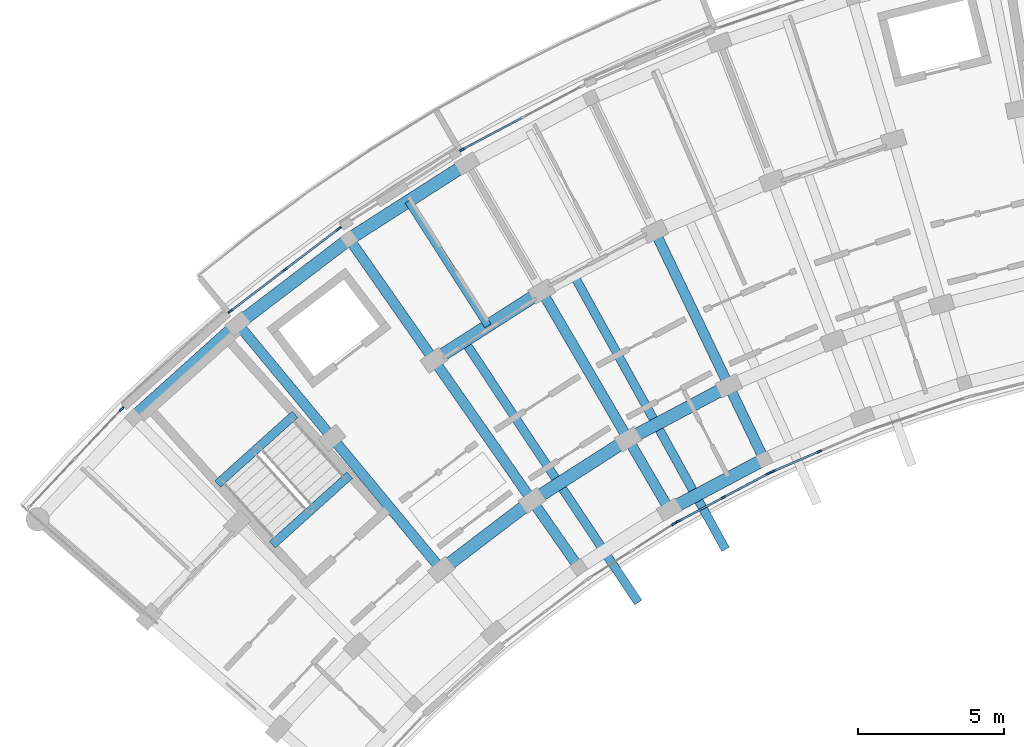
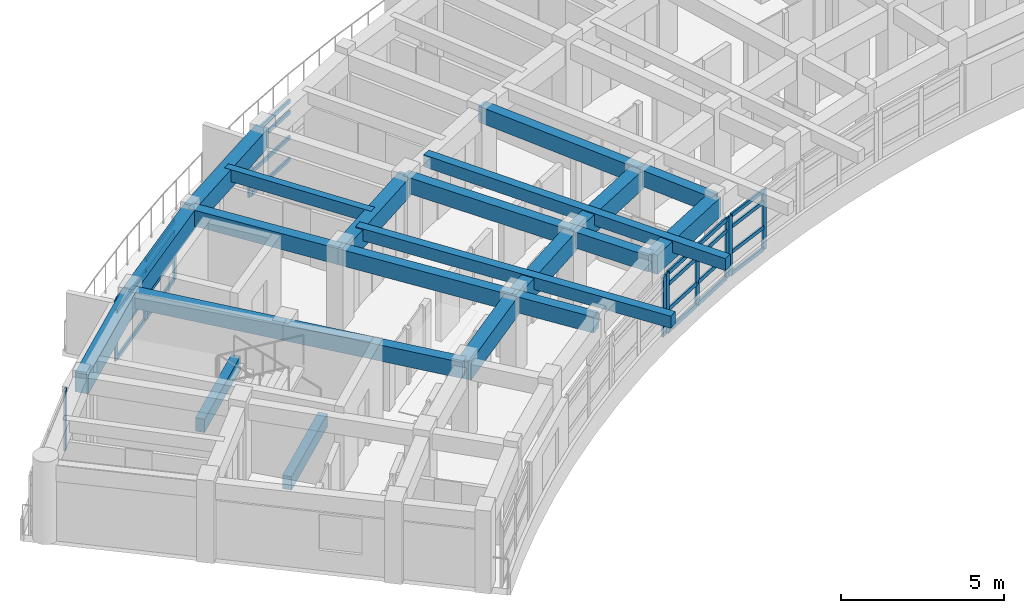
# One storey, part 4 of 54: 35 members, 22 beams, 6 elements without a shape of their own.
"""IFC4 building model written with IfcOpenShell, lengths in metres."""

from ifc_helpers import new_model, si_unit, direction, frame, origin, origin_2d, place, context, subcontext, project, spatial, rectangle, extrude, material, material_profile, profile_set, type_object, element, aggregate, save


model = new_model("IFC4")

# Units and contexts
model_context = context("Model", 3, precision=1e-05, world=origin(), true_north=direction((0.0, 1.0)))
body_context = subcontext(model_context, "Body", "Model", "MODEL_VIEW")
ifc_project = project(units=[si_unit("LENGTHUNIT", "METRE"), si_unit("AREAUNIT", "SQUARE_METRE"), si_unit("VOLUMEUNIT", "CUBIC_METRE"), si_unit("PLANEANGLEUNIT", "RADIAN"), si_unit("MASSUNIT", "GRAM", prefix="KILO")], contexts=[model_context])

# Site, building, storey
site_placement = place(None, origin())
site = spatial("IfcSite", under=ifc_project, at=site_placement, CompositionType="ELEMENT")
building_placement = place(site_placement, origin())
building = spatial("IfcBuilding", under=site, at=building_placement, Name="Zimvara Arc Housing Community", CompositionType="ELEMENT")
storey_placement = place(building_placement, frame((0.0, 0.0, 20.5)))
storey = spatial("IfcBuildingStorey", under=building, at=storey_placement, Name="L06", CompositionType="ELEMENT", Elevation=20.5)

# Beams
ifc_material_1 = material(Name="Concrete C40/50", Category="concrete")
ifc_material_profile_1 = material_profile(ifc_material_1, rectangle(XDim=0.25, YDim=0.449951171875, at=origin_2d()), Name="RC 250x450")
ifc_profile_set_1 = profile_set([ifc_material_profile_1], Name="Concrete C40/50")
beam_type_1 = type_object("IfcBeamType", Name="BM-RC-250x450", PredefinedType="JOIST", material=ifc_profile_set_1)
beam_1_placement = place(storey_placement, frame((16.0224609375, 89.776123046875, 2.635009765625), z_axis=(-0.539052331508, 0.842272274206, 0.0), x_axis=(-0.842272274206, -0.539052331508, 0.0)))
element("IfcBeam", 1, at=beam_1_placement, inside=storey, type_object=beam_type_1, Name="bm:blkA:L06:joist:b3", PredefinedType="JOIST", context=body_context, shape_type="SweptSolid", body=[
    extrude(rectangle(XDim=0.25, YDim=0.449951171875, at=origin_2d()), origin(), (0.0, 0.0, 1.0), 5.07568359375),
])
ifc_material_2 = material(Name="Concrete C40/50", Category="concrete")
ifc_material_profile_2 = material_profile(ifc_material_2, rectangle(XDim=0.300048828125, YDim=0.449951171875, at=origin_2d()), Name="RC 300x450")
ifc_profile_set_2 = profile_set([ifc_material_profile_2], Name="Concrete C40/50")
beam_type_2 = type_object("IfcBeamType", Name="BM-RC-300x450", PredefinedType="JOIST", material=ifc_profile_set_2)
for number, where, z_axis, x_axis, name in (
    (2, (15.188720703125, 89.285400390625, 2.6650390625), (0.55411687771, -0.832438878139, 0.0), (0.832438878139, 0.55411687771, 0.0), "bm:blkA:L06:cant_in:b3"),
    (3, (18.942138671875, 91.568359375, 2.6650390625), (0.484356901768, -0.874870499965, 0.0), (0.874870499965, 0.484356901768, 0.0), "bm:blkA:L06:cant_in:b4"),
):
    element("IfcBeam", number, at=place(storey_placement, frame(where, z_axis=z_axis, x_axis=x_axis)), inside=storey, type_object=beam_type_2, Name=name, PredefinedType="JOIST", context=body_context, shape_type="SweptSolid", body=[
        extrude(rectangle(XDim=0.300048828125, YDim=0.449951171875, at=origin_2d()), origin(), (0.0, 0.0, 1.0), 10.820068359375),
    ])
ifc_material_3 = material(Name="Concrete C40/50", Category="concrete")
ifc_material_profile_3 = material_profile(ifc_material_3, rectangle(XDim=0.300048828125, YDim=0.5, at=origin_2d()), Name="RC 300x500")
ifc_profile_set_3 = profile_set([ifc_material_profile_3], Name="Concrete C40/50")
beam_type_3 = type_object("IfcBeamType", Name="BM-RC-300x500", PredefinedType="BEAM", material=ifc_profile_set_3)
for number, where, z_axis, x_axis, name in (
    (4, (11.278076171875, 84.64697265625, -0.25), (-0.743362151162, -0.668889162881, 0.0), (0.668889162881, -0.743362151162, 0.0), "bm:stair_trim:ST-A1:L06:near"),
    (5, (9.39990234375, 86.734375, 1.300048828125), (-0.743362151162, -0.668889162881, 0.0), (0.668889162881, -0.743362151162, 0.0), "bm:stair_trim:ST-A1:L06:mid"),
):
    element("IfcBeam", number, at=place(storey_placement, frame(where, z_axis=z_axis, x_axis=x_axis)), inside=storey, type_object=beam_type_3, Name=name, PredefinedType="BEAM", context=body_context, shape_type="SweptSolid", body=[
        extrude(rectangle(XDim=0.300048828125, YDim=0.5, at=origin_2d()), origin(), (0.0, 0.0, 1.0), 3.570068359375),
    ])
ifc_material_4 = material(Name="Concrete C40/50", Category="concrete")
ifc_material_profile_4 = material_profile(ifc_material_4, rectangle(XDim=0.35009765625, YDim=0.60009765625, at=origin_2d()), Name="RC 350x600")
ifc_profile_set_4 = profile_set([ifc_material_profile_4], Name="Concrete C40/50")
beam_type_4 = type_object("IfcBeamType", Name="BM-RC-350x600", PredefinedType="BEAM", material=ifc_profile_set_4)
beam_2_placement = place(storey_placement, frame((14.428955078125, 81.401611328125, 2.56005859375), z_axis=(-0.637955964415, 0.770072845559, 0.0), x_axis=(-0.770072845559, -0.637955964415, 0.0)))
element("IfcBeam", 6, at=beam_2_placement, inside=storey, type_object=beam_type_4, Name="bm:blkA:L06:rad:b2:r12", PredefinedType="BEAM", context=body_context, shape_type="SweptSolid", body=[
    extrude(rectangle(XDim=0.35009765625, YDim=0.60009765625, at=origin_2d()), origin(), (0.0, 0.0, 1.0), 5.880126953125),
])
beam_3_placement = place(storey_placement, frame((10.677734375, 85.9296875, 2.56005859375), z_axis=(-0.637983669165, 0.77004989311, 0.0), x_axis=(-0.77004989311, -0.637983669165, 0.0)))
element("IfcBeam", 7, at=beam_3_placement, inside=storey, type_object=beam_type_4, Name="bm:blkA:L06:rad:b2:r23", PredefinedType="BEAM", context=body_context, shape_type="SweptSolid", body=[
    extrude(rectangle(XDim=0.35009765625, YDim=0.60009765625, at=origin_2d()), origin(), (0.0, 0.0, 1.0), 5.080078125),
])
beam_4_placement = place(storey_placement, frame((19.14599609375, 81.478271484375, 2.56005859375), z_axis=(-0.57297651105, 0.819571789281, 0.0), x_axis=(-0.819571789281, -0.57297651105, 0.0)))
element("IfcBeam", 8, at=beam_4_placement, inside=storey, type_object=beam_type_4, Name="bm:blkA:L06:rad:b3:r01", PredefinedType="BEAM", context=body_context, shape_type="SweptSolid", body=[
    extrude(rectangle(XDim=0.35009765625, YDim=0.60009765625, at=origin_2d()), origin(), (0.0, 0.0, 1.0), 2.7998046875),
])
beam_5_placement = place(storey_placement, frame((17.541748046875, 83.77294921875, 2.56005859375), z_axis=(-0.573027549978, 0.819536104736, 0.0), x_axis=(-0.819536104736, -0.573027549978, 0.0)))
element("IfcBeam", 9, at=beam_5_placement, inside=storey, type_object=beam_type_4, Name="bm:blkA:L06:rad:b3:r12", PredefinedType="BEAM", context=body_context, shape_type="SweptSolid", body=[
    extrude(rectangle(XDim=0.35009765625, YDim=0.60009765625, at=origin_2d()), origin(), (0.0, 0.0, 1.0), 5.8798828125),
])
beam_6_placement = place(storey_placement, frame((14.17236328125, 88.591796875, 2.56005859375), z_axis=(-0.573007469479, 0.819550144848, 0.0), x_axis=(-0.819550144848, -0.573007469479, 0.0)))
element("IfcBeam", 10, at=beam_6_placement, inside=storey, type_object=beam_type_4, Name="bm:blkA:L06:rad:b3:r23", PredefinedType="BEAM", context=body_context, shape_type="SweptSolid", body=[
    extrude(rectangle(XDim=0.35009765625, YDim=0.60009765625, at=origin_2d()), origin(), (0.0, 0.0, 1.0), 5.080078125),
])
beam_7_placement = place(storey_placement, frame((22.249267578125, 83.46435546875, 2.56005859375), z_axis=(-0.504239631668, 0.86356377521, 0.0), x_axis=(-0.86356377521, -0.504239631668, 0.0)))
element("IfcBeam", 11, at=beam_7_placement, inside=storey, type_object=beam_type_4, Name="bm:blkA:L06:rad:b4:r01", PredefinedType="BEAM", context=body_context, shape_type="SweptSolid", body=[
    extrude(rectangle(XDim=0.35009765625, YDim=0.60009765625, at=origin_2d()), origin(), (0.0, 0.0, 1.0), 2.800048828125),
])
beam_8_placement = place(storey_placement, frame((20.83740234375, 85.88232421875, 2.56005859375), z_axis=(-0.504219494781, 0.863575532934, 0.0), x_axis=(-0.863575532934, -0.504219494781, 0.0)))
element("IfcBeam", 12, at=beam_8_placement, inside=storey, type_object=beam_type_4, Name="bm:blkA:L06:rad:b4:r12", PredefinedType="BEAM", context=body_context, shape_type="SweptSolid", body=[
    extrude(rectangle(XDim=0.35009765625, YDim=0.60009765625, at=origin_2d()), origin(), (0.0, 0.0, 1.0), 5.880126953125),
])
beam_9_placement = place(storey_placement, frame((25.50439453125, 85.190673828125, 2.56005859375), z_axis=(-0.432118703138, 0.901816736593, 0.0), x_axis=(-0.901816736593, -0.432118703138, 0.0)))
element("IfcBeam", 13, at=beam_9_placement, inside=storey, type_object=beam_type_4, Name="bm:blkA:L06:rad:b5:r01", PredefinedType="BEAM", context=body_context, shape_type="SweptSolid", body=[
    extrude(rectangle(XDim=0.35009765625, YDim=0.60009765625, at=origin_2d()), origin(), (0.0, 0.0, 1.0), 2.800048828125),
])
beam_10_placement = place(storey_placement, frame((24.29443359375, 87.7158203125, 2.56005859375), z_axis=(-0.432069527705, 0.901840298073, 0.0), x_axis=(-0.901840298073, -0.432069527705, 0.0)))
element("IfcBeam", 14, at=beam_10_placement, inside=storey, type_object=beam_type_4, Name="bm:blkA:L06:rad:b5:r12", PredefinedType="BEAM", context=body_context, shape_type="SweptSolid", body=[
    extrude(rectangle(XDim=0.35009765625, YDim=0.60009765625, at=origin_2d()), origin(), (0.0, 0.0, 1.0), 5.8798828125),
])
ifc_material_5 = material(Name="Concrete C40/50", Category="concrete")
ifc_material_profile_5 = material_profile(ifc_material_5, rectangle(XDim=0.43994140625, YDim=0.719970703125, at=origin_2d()), Name="RC 440x720")
ifc_profile_set_5 = profile_set([ifc_material_profile_5], Name="Concrete C40/50")
beam_type_5 = type_object("IfcBeamType", Name="BM-RC-440x720", PredefinedType="BEAM", material=ifc_profile_set_5)
beam_11_placement = place(storey_placement, frame((22.249267578125, 83.46435546875, 2.5), z_axis=(0.883449220086, 0.468526920815, 0.0), x_axis=(-0.468526920815, 0.883449220086, 0.0)))
element("IfcBeam", 15, at=beam_11_placement, inside=storey, type_object=beam_type_5, Name="bm:blkA:L06:chord:r0:b4", PredefinedType="BEAM", context=body_context, shape_type="SweptSolid", body=[
    extrude(rectangle(XDim=0.43994140625, YDim=0.719970703125, at=origin_2d()), origin(), (0.0, 0.0, 1.0), 3.6845703125),
])
beam_12_placement = place(storey_placement, frame((14.428955078125, 81.401611328125, 2.5), z_axis=(0.795470387579, 0.605992460749, 0.0), x_axis=(-0.605992460749, 0.795470387579, 0.0)))
element("IfcBeam", 16, at=beam_12_placement, inside=storey, type_object=beam_type_5, Name="bm:blkA:L06:chord:r1:b2", PredefinedType="BEAM", context=body_context, shape_type="SweptSolid", body=[
    extrude(rectangle(XDim=0.43994140625, YDim=0.719970703125, at=origin_2d()), origin(), (0.0, 0.0, 1.0), 3.9130859375),
])
beam_13_placement = place(storey_placement, frame((17.541748046875, 83.77294921875, 2.5), z_axis=(0.842253269878, 0.539082024724, 0.0), x_axis=(-0.539082024724, 0.842253269878, 0.0)))
element("IfcBeam", 17, at=beam_13_placement, inside=storey, type_object=beam_type_5, Name="bm:blkA:L06:chord:r1:b3", PredefinedType="BEAM", context=body_context, shape_type="SweptSolid", body=[
    extrude(rectangle(XDim=0.43994140625, YDim=0.719970703125, at=origin_2d()), origin(), (0.0, 0.0, 1.0), 3.912841796875),
])
beam_14_placement = place(storey_placement, frame((20.83740234375, 85.88232421875, 2.5), z_axis=(0.883438625159, 0.468546897948, 0.0), x_axis=(-0.468546897948, 0.883438625159, 0.0)))
element("IfcBeam", 18, at=beam_14_placement, inside=storey, type_object=beam_type_5, Name="bm:blkA:L06:chord:r1:b4", PredefinedType="BEAM", context=body_context, shape_type="SweptSolid", body=[
    extrude(rectangle(XDim=0.43994140625, YDim=0.719970703125, at=origin_2d()), origin(), (0.0, 0.0, 1.0), 3.9130859375),
])
beam_15_placement = place(storey_placement, frame((14.17236328125, 88.591796875, 2.5), z_axis=(0.842242131326, 0.539099427025, 0.0), x_axis=(-0.539099427025, 0.842242131326, 0.0)))
element("IfcBeam", 19, at=beam_15_placement, inside=storey, type_object=beam_type_5, Name="bm:blkA:L06:chord:r2:b3", PredefinedType="BEAM", context=body_context, shape_type="SweptSolid", body=[
    extrude(rectangle(XDim=0.43994140625, YDim=0.719970703125, at=origin_2d()), origin(), (0.0, 0.0, 1.0), 4.393310546875),
])
beam_16_placement = place(storey_placement, frame((3.862548828125, 86.625732421875, 2.5), z_axis=(0.743395133402, 0.668852506637, 0.0), x_axis=(-0.668852506637, 0.743395133402, 0.0)))
element("IfcBeam", 20, at=beam_16_placement, inside=storey, type_object=beam_type_5, Name="bm:blkA:L06:chord:r3:b1", PredefinedType="BEAM", context=body_context, shape_type="SweptSolid", body=[
    extrude(rectangle(XDim=0.43994140625, YDim=0.719970703125, at=origin_2d()), origin(), (0.0, 0.0, 1.0), 4.807861328125),
])
beam_17_placement = place(storey_placement, frame((7.436767578125, 89.841552734375, 2.5), z_axis=(0.795480673672, 0.605978958228, 0.0), x_axis=(-0.605978958228, 0.795480673672, 0.0)))
element("IfcBeam", 21, at=beam_17_placement, inside=storey, type_object=beam_type_5, Name="bm:blkA:L06:chord:r3:b2", PredefinedType="BEAM", context=body_context, shape_type="SweptSolid", body=[
    extrude(rectangle(XDim=0.43994140625, YDim=0.719970703125, at=origin_2d()), origin(), (0.0, 0.0, 1.0), 4.80810546875),
])
beam_18_placement = place(storey_placement, frame((11.261474609375, 92.755126953125, 2.5), z_axis=(0.842255724028, 0.539078190379, 0.0), x_axis=(-0.539078190379, 0.842255724028, 0.0)))
element("IfcBeam", 22, at=beam_18_placement, inside=storey, type_object=beam_type_5, Name="bm:blkA:L06:chord:r3:b3", PredefinedType="BEAM", context=body_context, shape_type="SweptSolid", body=[
    extrude(rectangle(XDim=0.43994140625, YDim=0.719970703125, at=origin_2d()), origin(), (0.0, 0.0, 1.0), 4.808349609375),
])

# Curtain wall, member
ifc_material_6 = material(Name="Anodised Aluminium AW-6063", Category="aluminium")
curtain_wall_type_1 = type_object("IfcCurtainWallType", Name="CW-SYS-06", PredefinedType="USERDEFINED", material=ifc_material_6)
curtain_wall_1_placement = place(storey_placement, origin())
curtain_wall_1 = element("IfcCurtainWall", 23, at=curtain_wall_1_placement, inside=storey, type_object=curtain_wall_type_1, Name="cw:blkA:L06:out:b4", ObjectType="CURTAIN WALL", PredefinedType="USERDEFINED")
ifc_material_7 = material(Name="Anodised Aluminium AW-6063", Category="aluminium")
ifc_material_profile_6 = material_profile(ifc_material_7, rectangle(XDim=0.06494140625, YDim=0.179931640625, at=origin_2d()), Name="ALU 65x180")
ifc_profile_set_6 = profile_set([ifc_material_profile_6], Name="Anodised Aluminium AW-6063")
member_type_1 = type_object("IfcMemberType", Name="CWM-65x150", PredefinedType="MULLION", material=ifc_profile_set_6)
member_1_placement = place(storey_placement, frame((15.140869140625, 95.822265625, 0.0), z_axis=(0.0, 0.0, 1.0), x_axis=(-0.468546917761, 0.883438614651, 0.0)))
member_1 = element("IfcMember", 24, at=member_1_placement, type_object=member_type_1, Name="CW06 mullion 1", PredefinedType="MULLION", context=body_context, shape_type="SweptSolid", body=[
    extrude(rectangle(XDim=0.06494140625, YDim=0.179931640625, at=origin_2d()), origin(), (0.0, 0.0, 1.0), 2.25),
])

# Curtain wall, members
ifc_material_8 = material(Name="Anodised Aluminium AW-6063", Category="aluminium")
curtain_wall_type_2 = type_object("IfcCurtainWallType", Name="CW-SYS-08", PredefinedType="USERDEFINED", material=ifc_material_8)
curtain_wall_2_placement = place(storey_placement, origin())
curtain_wall_2 = element("IfcCurtainWall", 25, at=curtain_wall_2_placement, inside=storey, type_object=curtain_wall_type_2, Name="cw:blkA:L06:in:b5", ObjectType="CURTAIN WALL", PredefinedType="USERDEFINED")
member_2_placement = place(storey_placement, frame((25.805419921875, 84.7763671875, 0.0), z_axis=(0.0, 0.0, 1.0), x_axis=(-0.394904493375, 0.918722178415, 0.0)))
member_2 = element("IfcMember", 26, at=member_2_placement, type_object=member_type_1, Name="CW08 mullion 1", PredefinedType="MULLION", context=body_context, shape_type="SweptSolid", body=[
    extrude(rectangle(XDim=0.06494140625, YDim=0.179931640625, at=origin_2d()), origin(), (0.0, 0.0, 1.0), 2.25),
])
member_3_placement = place(storey_placement, frame((27.39404296875, 85.459228515625, 0.0), z_axis=(0.0, 0.0, 1.0), x_axis=(-0.394904493375, 0.918722178415, 0.0)))
member_3 = element("IfcMember", 27, at=member_3_placement, type_object=member_type_1, Name="CW08 mullion 2", PredefinedType="MULLION", context=body_context, shape_type="SweptSolid", body=[
    extrude(rectangle(XDim=0.06494140625, YDim=0.179931640625, at=origin_2d()), origin(), (0.0, 0.0, 1.0), 2.25),
])

# Curtain wall, member
ifc_material_9 = material(Name="Anodised Aluminium AW-6063", Category="aluminium")
curtain_wall_type_3 = type_object("IfcCurtainWallType", Name="CW-SYS-01", PredefinedType="USERDEFINED", material=ifc_material_9)
curtain_wall_3_placement = place(storey_placement, origin())
curtain_wall_3 = element("IfcCurtainWall", 28, at=curtain_wall_3_placement, inside=storey, type_object=curtain_wall_type_3, Name="cw:blkA:L06:out:b0", ObjectType="CURTAIN WALL", PredefinedType="USERDEFINED")
ifc_material_10 = material(Name="Anodised Aluminium AW-6063", Category="aluminium")
ifc_material_profile_7 = material_profile(ifc_material_10, rectangle(XDim=0.06494140625, YDim=0.195068359375, at=origin_2d()), Name="ALU 65x195")
ifc_profile_set_7 = profile_set([ifc_material_profile_7], Name="Anodised Aluminium AW-6063")
member_type_2 = type_object("IfcMemberType", Name="CWM-65x180", PredefinedType="MULLION", material=ifc_profile_set_7)
member_4_placement = place(storey_placement, frame((3.44970703125, 86.916015625, 0.0), z_axis=(0.0, 0.0, 1.0), x_axis=(-0.727293647725, 0.686326416495, 0.0)))
member_4 = element("IfcMember", 29, at=member_4_placement, type_object=member_type_2, Name="CW01 mullion 3", PredefinedType="MULLION", context=body_context, shape_type="SweptSolid", body=[
    extrude(rectangle(XDim=0.06494140625, YDim=0.195068359375, at=origin_2d()), origin(), (0.0, 0.0, 1.0), 2.25),
])
aggregate(curtain_wall_3, [member_4])

# Curtain wall, members
ifc_material_11 = material(Name="Anodised Aluminium AW-6063", Category="aluminium")
curtain_wall_type_4 = type_object("IfcCurtainWallType", Name="CW-SYS-03", PredefinedType="USERDEFINED", material=ifc_material_11)
curtain_wall_4_placement = place(storey_placement, origin())
curtain_wall_4 = element("IfcCurtainWall", 30, at=curtain_wall_4_placement, inside=storey, type_object=curtain_wall_type_4, Name="cw:blkA:L06:out:b2", ObjectType="CURTAIN WALL", PredefinedType="USERDEFINED")
member_5_placement = place(storey_placement, frame((7.19140625, 90.28271484375, 0.0), z_axis=(0.0, 0.0, 1.0), x_axis=(-0.60598771987, 0.795473999177, 0.0)))
member_5 = element("IfcMember", 31, at=member_5_placement, type_object=member_type_2, Name="CW03 mullion 1", PredefinedType="MULLION", context=body_context, shape_type="SweptSolid", body=[
    extrude(rectangle(XDim=0.06494140625, YDim=0.195068359375, at=origin_2d()), origin(), (0.0, 0.0, 1.0), 2.25),
])
member_6_placement = place(storey_placement, frame((9.04638671875, 91.69580078125, 0.0), z_axis=(0.0, 0.0, 1.0), x_axis=(-0.60598771987, 0.795473999177, 0.0)))
member_6 = element("IfcMember", 32, at=member_6_placement, type_object=member_type_2, Name="CW03 mullion 2", PredefinedType="MULLION", context=body_context, shape_type="SweptSolid", body=[
    extrude(rectangle(XDim=0.06494140625, YDim=0.195068359375, at=origin_2d()), origin(), (0.0, 0.0, 1.0), 2.25),
])
member_7_placement = place(storey_placement, frame((10.9013671875, 93.10888671875, 0.0), z_axis=(0.0, 0.0, 1.0), x_axis=(-0.60598771987, 0.795473999177, 0.0)))
member_7 = element("IfcMember", 33, at=member_7_placement, type_object=member_type_2, Name="CW03 mullion 3", PredefinedType="MULLION", context=body_context, shape_type="SweptSolid", body=[
    extrude(rectangle(XDim=0.06494140625, YDim=0.195068359375, at=origin_2d()), origin(), (0.0, 0.0, 1.0), 2.25),
])

# Curtain wall, member
ifc_material_12 = material(Name="Anodised Aluminium AW-6063", Category="aluminium")
curtain_wall_type_5 = type_object("IfcCurtainWallType", Name="CW-SYS-05", PredefinedType="USERDEFINED", material=ifc_material_12)
curtain_wall_5_placement = place(storey_placement, origin())
curtain_wall_5 = element("IfcCurtainWall", 34, at=curtain_wall_5_placement, inside=storey, type_object=curtain_wall_type_5, Name="cw:blkA:L06:in:b3", ObjectType="CURTAIN WALL", PredefinedType="USERDEFINED")
member_8_placement = place(storey_placement, frame((22.423583984375, 82.982666015625, 0.0), z_axis=(0.0, 0.0, 1.0), x_axis=(-0.539064085203, 0.842264751752, 0.0)))
member_8 = element("IfcMember", 35, at=member_8_placement, type_object=member_type_2, Name="CW05 mullion 3", PredefinedType="MULLION", context=body_context, shape_type="SweptSolid", body=[
    extrude(rectangle(XDim=0.06494140625, YDim=0.195068359375, at=origin_2d()), origin(), (0.0, 0.0, 1.0), 2.25),
])
aggregate(curtain_wall_5, [member_8])

# Curtain wall, members
ifc_material_13 = material(Name="Anodised Aluminium AW-6063", Category="aluminium")
curtain_wall_type_6 = type_object("IfcCurtainWallType", Name="CW-SYS-07", PredefinedType="USERDEFINED", material=ifc_material_13)
curtain_wall_6_placement = place(storey_placement, origin())
curtain_wall_6 = element("IfcCurtainWall", 36, at=curtain_wall_6_placement, inside=storey, type_object=curtain_wall_type_6, Name="cw:blkA:L06:in:b4", ObjectType="CURTAIN WALL", PredefinedType="USERDEFINED")
member_9_placement = place(storey_placement, frame((22.583251953125, 83.075927734375, 0.0), z_axis=(0.0, 0.0, 1.0), x_axis=(-0.468544648573, 0.88343981815, 0.0)))
member_9 = element("IfcMember", 37, at=member_9_placement, type_object=member_type_2, Name="CW07 mullion 1", PredefinedType="MULLION", context=body_context, shape_type="SweptSolid", body=[
    extrude(rectangle(XDim=0.06494140625, YDim=0.195068359375, at=origin_2d()), origin(), (0.0, 0.0, 1.0), 2.25),
])
member_10_placement = place(storey_placement, frame((24.11083984375, 83.88623046875, 0.0), z_axis=(0.0, 0.0, 1.0), x_axis=(-0.468544648573, 0.88343981815, 0.0)))
member_10 = element("IfcMember", 38, at=member_10_placement, type_object=member_type_2, Name="CW07 mullion 2", PredefinedType="MULLION", context=body_context, shape_type="SweptSolid", body=[
    extrude(rectangle(XDim=0.06494140625, YDim=0.195068359375, at=origin_2d()), origin(), (0.0, 0.0, 1.0), 2.25),
])
member_11_placement = place(storey_placement, frame((25.638671875, 84.696533203125, 0.0), z_axis=(0.0, 0.0, 1.0), x_axis=(-0.468544648573, 0.88343981815, 0.0)))
member_11 = element("IfcMember", 39, at=member_11_placement, type_object=member_type_2, Name="CW07 mullion 3", PredefinedType="MULLION", context=body_context, shape_type="SweptSolid", body=[
    extrude(rectangle(XDim=0.06494140625, YDim=0.195068359375, at=origin_2d()), origin(), (0.0, 0.0, 1.0), 2.25),
])

# Member
ifc_material_14 = material(Name="Anodised Aluminium AW-6063", Category="aluminium")
ifc_material_profile_8 = material_profile(ifc_material_14, rectangle(XDim=0.06494140625, YDim=0.139892578125, at=origin_2d()), Name="ALU 65x140")
ifc_profile_set_8 = profile_set([ifc_material_profile_8], Name="Anodised Aluminium AW-6063")
member_type_3 = type_object("IfcMemberType", Name="CWT-65x120", PredefinedType="USERDEFINED", material=ifc_profile_set_8)
member_12_placement = place(storey_placement, frame((15.16943359375, 95.83740234375, 0.032470703125), z_axis=(0.883420900208, 0.468580316568, 0.0), x_axis=(-0.468580316568, 0.883420900208, 0.0)))
member_12 = element("IfcMember", 40, at=member_12_placement, type_object=member_type_3, Name="CW06 transom 1.1", ObjectType="TRANSOM", PredefinedType="USERDEFINED", context=body_context, shape_type="SweptSolid", body=[
    extrude(rectangle(XDim=0.06494140625, YDim=0.139892578125, at=origin_2d()), origin(), (0.0, 0.0, 1.0), 2.266845703125),
])

member_13_placement = place(storey_placement, frame((15.16943359375, 95.83740234375, 0.85009765625), z_axis=(0.883420900208, 0.468580316568, 0.0), x_axis=(-0.468580316568, 0.883420900208, 0.0)))
member_13 = element("IfcMember", 41, at=member_13_placement, type_object=member_type_3, Name="CW06 transom 1.2", ObjectType="TRANSOM", PredefinedType="USERDEFINED", context=body_context, shape_type="SweptSolid", body=[
    extrude(rectangle(XDim=0.06494140625, YDim=0.139892578125, at=origin_2d()), origin(), (0.0, 0.0, 1.0), 2.266845703125),
])

member_14_placement = place(storey_placement, frame((15.16943359375, 95.83740234375, 1.800048828125), z_axis=(0.883420900208, 0.468580316568, 0.0), x_axis=(-0.468580316568, 0.883420900208, 0.0)))
member_14 = element("IfcMember", 42, at=member_14_placement, type_object=member_type_3, Name="CW06 transom 1.3", ObjectType="TRANSOM", PredefinedType="USERDEFINED", context=body_context, shape_type="SweptSolid", body=[
    extrude(rectangle(XDim=0.06494140625, YDim=0.139892578125, at=origin_2d()), origin(), (0.0, 0.0, 1.0), 2.266845703125),
])

member_15_placement = place(storey_placement, frame((15.16943359375, 95.83740234375, 2.217529296875), z_axis=(0.883420900208, 0.468580316568, 0.0), x_axis=(-0.468580316568, 0.883420900208, 0.0)))
member_15 = element("IfcMember", 43, at=member_15_placement, type_object=member_type_3, Name="CW06 transom 1.4", ObjectType="TRANSOM", PredefinedType="USERDEFINED", context=body_context, shape_type="SweptSolid", body=[
    extrude(rectangle(XDim=0.06494140625, YDim=0.139892578125, at=origin_2d()), origin(), (0.0, 0.0, 1.0), 2.266845703125),
])

aggregate(curtain_wall_1, [member_1, member_12, member_13, member_14, member_15])

member_16_placement = place(storey_placement, frame((25.835205078125, 84.7890625, 0.032470703125), z_axis=(0.918727202972, 0.394892803832, 0.0), x_axis=(-0.394892803832, 0.918727202972, 0.0)))
member_16 = element("IfcMember", 44, at=member_16_placement, type_object=member_type_3, Name="CW08 transom 1.1", ObjectType="TRANSOM", PredefinedType="USERDEFINED", context=body_context, shape_type="SweptSolid", body=[
    extrude(rectangle(XDim=0.06494140625, YDim=0.139892578125, at=origin_2d()), origin(), (0.0, 0.0, 1.0), 1.664306640625),
])

member_17_placement = place(storey_placement, frame((25.835205078125, 84.7890625, 0.85009765625), z_axis=(0.918727202972, 0.394892803832, 0.0), x_axis=(-0.394892803832, 0.918727202972, 0.0)))
member_17 = element("IfcMember", 45, at=member_17_placement, type_object=member_type_3, Name="CW08 transom 1.2", ObjectType="TRANSOM", PredefinedType="USERDEFINED", context=body_context, shape_type="SweptSolid", body=[
    extrude(rectangle(XDim=0.06494140625, YDim=0.139892578125, at=origin_2d()), origin(), (0.0, 0.0, 1.0), 1.664306640625),
])

member_18_placement = place(storey_placement, frame((25.835205078125, 84.7890625, 1.800048828125), z_axis=(0.918727202972, 0.394892803832, 0.0), x_axis=(-0.394892803832, 0.918727202972, 0.0)))
member_18 = element("IfcMember", 46, at=member_18_placement, type_object=member_type_3, Name="CW08 transom 1.3", ObjectType="TRANSOM", PredefinedType="USERDEFINED", context=body_context, shape_type="SweptSolid", body=[
    extrude(rectangle(XDim=0.06494140625, YDim=0.139892578125, at=origin_2d()), origin(), (0.0, 0.0, 1.0), 1.664306640625),
])

member_19_placement = place(storey_placement, frame((25.835205078125, 84.7890625, 2.217529296875), z_axis=(0.918727202972, 0.394892803832, 0.0), x_axis=(-0.394892803832, 0.918727202972, 0.0)))
member_19 = element("IfcMember", 47, at=member_19_placement, type_object=member_type_3, Name="CW08 transom 1.4", ObjectType="TRANSOM", PredefinedType="USERDEFINED", context=body_context, shape_type="SweptSolid", body=[
    extrude(rectangle(XDim=0.06494140625, YDim=0.139892578125, at=origin_2d()), origin(), (0.0, 0.0, 1.0), 1.664306640625),
])

aggregate(curtain_wall_2, [member_2, member_3, member_16, member_17, member_18, member_19])

ifc_material_15 = material(Name="Anodised Aluminium AW-6063", Category="aluminium")
ifc_material_profile_9 = material_profile(ifc_material_15, rectangle(XDim=0.06494140625, YDim=0.155029296875, at=origin_2d()), Name="ALU 65x155")
ifc_profile_set_9 = profile_set([ifc_material_profile_9], Name="Anodised Aluminium AW-6063")
member_type_4 = type_object("IfcMemberType", Name="CWT-65x140", PredefinedType="USERDEFINED", material=ifc_profile_set_9)
member_20_placement = place(storey_placement, frame((7.21728515625, 90.302490234375, 0.032470703125), z_axis=(0.795505886513, 0.605945859399, 0.0), x_axis=(-0.605945859399, 0.795505886513, 0.0)))
member_20 = element("IfcMember", 48, at=member_20_placement, type_object=member_type_4, Name="CW03 transom 1.1", ObjectType="TRANSOM", PredefinedType="USERDEFINED", context=body_context, shape_type="SweptSolid", body=[
    extrude(rectangle(XDim=0.06494140625, YDim=0.155029296875, at=origin_2d()), origin(), (0.0, 0.0, 1.0), 2.266845703125),
])

member_21_placement = place(storey_placement, frame((7.21728515625, 90.302490234375, 0.85009765625), z_axis=(0.795505886513, 0.605945859399, 0.0), x_axis=(-0.605945859399, 0.795505886513, 0.0)))
member_21 = element("IfcMember", 49, at=member_21_placement, type_object=member_type_4, Name="CW03 transom 1.2", ObjectType="TRANSOM", PredefinedType="USERDEFINED", context=body_context, shape_type="SweptSolid", body=[
    extrude(rectangle(XDim=0.06494140625, YDim=0.155029296875, at=origin_2d()), origin(), (0.0, 0.0, 1.0), 2.266845703125),
])

member_22_placement = place(storey_placement, frame((7.21728515625, 90.302490234375, 1.800048828125), z_axis=(0.795505886513, 0.605945859399, 0.0), x_axis=(-0.605945859399, 0.795505886513, 0.0)))
member_22 = element("IfcMember", 50, at=member_22_placement, type_object=member_type_4, Name="CW03 transom 1.3", ObjectType="TRANSOM", PredefinedType="USERDEFINED", context=body_context, shape_type="SweptSolid", body=[
    extrude(rectangle(XDim=0.06494140625, YDim=0.155029296875, at=origin_2d()), origin(), (0.0, 0.0, 1.0), 2.266845703125),
])

member_23_placement = place(storey_placement, frame((7.21728515625, 90.302490234375, 2.217529296875), z_axis=(0.795505886513, 0.605945859399, 0.0), x_axis=(-0.605945859399, 0.795505886513, 0.0)))
member_23 = element("IfcMember", 51, at=member_23_placement, type_object=member_type_4, Name="CW03 transom 1.4", ObjectType="TRANSOM", PredefinedType="USERDEFINED", context=body_context, shape_type="SweptSolid", body=[
    extrude(rectangle(XDim=0.06494140625, YDim=0.155029296875, at=origin_2d()), origin(), (0.0, 0.0, 1.0), 2.266845703125),
])

member_24_placement = place(storey_placement, frame((9.072265625, 91.715576171875, 0.032470703125), z_axis=(0.795453969776, 0.606014011363, 0.0), x_axis=(-0.606014011363, 0.795453969776, 0.0)))
member_24 = element("IfcMember", 52, at=member_24_placement, type_object=member_type_4, Name="CW03 transom 2.1", ObjectType="TRANSOM", PredefinedType="USERDEFINED", context=body_context, shape_type="SweptSolid", body=[
    extrude(rectangle(XDim=0.06494140625, YDim=0.155029296875, at=origin_2d()), origin(), (0.0, 0.0, 1.0), 2.266845703125),
])

member_25_placement = place(storey_placement, frame((9.072265625, 91.715576171875, 0.85009765625), z_axis=(0.795453969776, 0.606014011363, 0.0), x_axis=(-0.606014011363, 0.795453969776, 0.0)))
member_25 = element("IfcMember", 53, at=member_25_placement, type_object=member_type_4, Name="CW03 transom 2.2", ObjectType="TRANSOM", PredefinedType="USERDEFINED", context=body_context, shape_type="SweptSolid", body=[
    extrude(rectangle(XDim=0.06494140625, YDim=0.155029296875, at=origin_2d()), origin(), (0.0, 0.0, 1.0), 2.266845703125),
])

member_26_placement = place(storey_placement, frame((9.072265625, 91.715576171875, 1.800048828125), z_axis=(0.795453969776, 0.606014011363, 0.0), x_axis=(-0.606014011363, 0.795453969776, 0.0)))
member_26 = element("IfcMember", 54, at=member_26_placement, type_object=member_type_4, Name="CW03 transom 2.3", ObjectType="TRANSOM", PredefinedType="USERDEFINED", context=body_context, shape_type="SweptSolid", body=[
    extrude(rectangle(XDim=0.06494140625, YDim=0.155029296875, at=origin_2d()), origin(), (0.0, 0.0, 1.0), 2.266845703125),
])

member_27_placement = place(storey_placement, frame((9.072265625, 91.715576171875, 2.217529296875), z_axis=(0.795453969776, 0.606014011363, 0.0), x_axis=(-0.606014011363, 0.795453969776, 0.0)))
member_27 = element("IfcMember", 55, at=member_27_placement, type_object=member_type_4, Name="CW03 transom 2.4", ObjectType="TRANSOM", PredefinedType="USERDEFINED", context=body_context, shape_type="SweptSolid", body=[
    extrude(rectangle(XDim=0.06494140625, YDim=0.155029296875, at=origin_2d()), origin(), (0.0, 0.0, 1.0), 2.266845703125),
])

aggregate(curtain_wall_4, [member_5, member_6, member_7, member_20, member_21, member_22, member_23, member_24, member_25, member_26, member_27])

member_28_placement = place(storey_placement, frame((22.61181640625, 83.091064453125, 0.032470703125), z_axis=(0.883463021947, 0.468500895252, 0.0), x_axis=(-0.468500895252, 0.883463021947, 0.0)))
member_28 = element("IfcMember", 56, at=member_28_placement, type_object=member_type_4, Name="CW07 transom 1.1", ObjectType="TRANSOM", PredefinedType="USERDEFINED", context=body_context, shape_type="SweptSolid", body=[
    extrude(rectangle(XDim=0.06494140625, YDim=0.155029296875, at=origin_2d()), origin(), (0.0, 0.0, 1.0), 1.664306640625),
])

member_29_placement = place(storey_placement, frame((22.61181640625, 83.091064453125, 0.85009765625), z_axis=(0.883463021947, 0.468500895252, 0.0), x_axis=(-0.468500895252, 0.883463021947, 0.0)))
member_29 = element("IfcMember", 57, at=member_29_placement, type_object=member_type_4, Name="CW07 transom 1.2", ObjectType="TRANSOM", PredefinedType="USERDEFINED", context=body_context, shape_type="SweptSolid", body=[
    extrude(rectangle(XDim=0.06494140625, YDim=0.155029296875, at=origin_2d()), origin(), (0.0, 0.0, 1.0), 1.664306640625),
])

member_30_placement = place(storey_placement, frame((22.61181640625, 83.091064453125, 1.800048828125), z_axis=(0.883463021947, 0.468500895252, 0.0), x_axis=(-0.468500895252, 0.883463021947, 0.0)))
member_30 = element("IfcMember", 58, at=member_30_placement, type_object=member_type_4, Name="CW07 transom 1.3", ObjectType="TRANSOM", PredefinedType="USERDEFINED", context=body_context, shape_type="SweptSolid", body=[
    extrude(rectangle(XDim=0.06494140625, YDim=0.155029296875, at=origin_2d()), origin(), (0.0, 0.0, 1.0), 1.664306640625),
])

member_31_placement = place(storey_placement, frame((22.61181640625, 83.091064453125, 2.217529296875), z_axis=(0.883463021947, 0.468500895252, 0.0), x_axis=(-0.468500895252, 0.883463021947, 0.0)))
member_31 = element("IfcMember", 59, at=member_31_placement, type_object=member_type_4, Name="CW07 transom 1.4", ObjectType="TRANSOM", PredefinedType="USERDEFINED", context=body_context, shape_type="SweptSolid", body=[
    extrude(rectangle(XDim=0.06494140625, YDim=0.155029296875, at=origin_2d()), origin(), (0.0, 0.0, 1.0), 1.664306640625),
])

member_32_placement = place(storey_placement, frame((24.1396484375, 83.9013671875, 0.032470703125), z_axis=(0.8834308201, 0.468561613982, 0.0), x_axis=(-0.468561613982, 0.8834308201, 0.0)))
member_32 = element("IfcMember", 60, at=member_32_placement, type_object=member_type_4, Name="CW07 transom 2.1", ObjectType="TRANSOM", PredefinedType="USERDEFINED", context=body_context, shape_type="SweptSolid", body=[
    extrude(rectangle(XDim=0.06494140625, YDim=0.155029296875, at=origin_2d()), origin(), (0.0, 0.0, 1.0), 1.664306640625),
])

member_33_placement = place(storey_placement, frame((24.1396484375, 83.9013671875, 0.85009765625), z_axis=(0.8834308201, 0.468561613982, 0.0), x_axis=(-0.468561613982, 0.8834308201, 0.0)))
member_33 = element("IfcMember", 61, at=member_33_placement, type_object=member_type_4, Name="CW07 transom 2.2", ObjectType="TRANSOM", PredefinedType="USERDEFINED", context=body_context, shape_type="SweptSolid", body=[
    extrude(rectangle(XDim=0.06494140625, YDim=0.155029296875, at=origin_2d()), origin(), (0.0, 0.0, 1.0), 1.664306640625),
])

member_34_placement = place(storey_placement, frame((24.1396484375, 83.9013671875, 1.800048828125), z_axis=(0.8834308201, 0.468561613982, 0.0), x_axis=(-0.468561613982, 0.8834308201, 0.0)))
member_34 = element("IfcMember", 62, at=member_34_placement, type_object=member_type_4, Name="CW07 transom 2.3", ObjectType="TRANSOM", PredefinedType="USERDEFINED", context=body_context, shape_type="SweptSolid", body=[
    extrude(rectangle(XDim=0.06494140625, YDim=0.155029296875, at=origin_2d()), origin(), (0.0, 0.0, 1.0), 1.664306640625),
])

member_35_placement = place(storey_placement, frame((24.1396484375, 83.9013671875, 2.217529296875), z_axis=(0.8834308201, 0.468561613982, 0.0), x_axis=(-0.468561613982, 0.8834308201, 0.0)))
member_35 = element("IfcMember", 63, at=member_35_placement, type_object=member_type_4, Name="CW07 transom 2.4", ObjectType="TRANSOM", PredefinedType="USERDEFINED", context=body_context, shape_type="SweptSolid", body=[
    extrude(rectangle(XDim=0.06494140625, YDim=0.155029296875, at=origin_2d()), origin(), (0.0, 0.0, 1.0), 1.664306640625),
])

aggregate(curtain_wall_6, [member_9, member_10, member_11, member_28, member_29, member_30, member_31, member_32, member_33, member_34, member_35])

save(model, "model.ifc")
